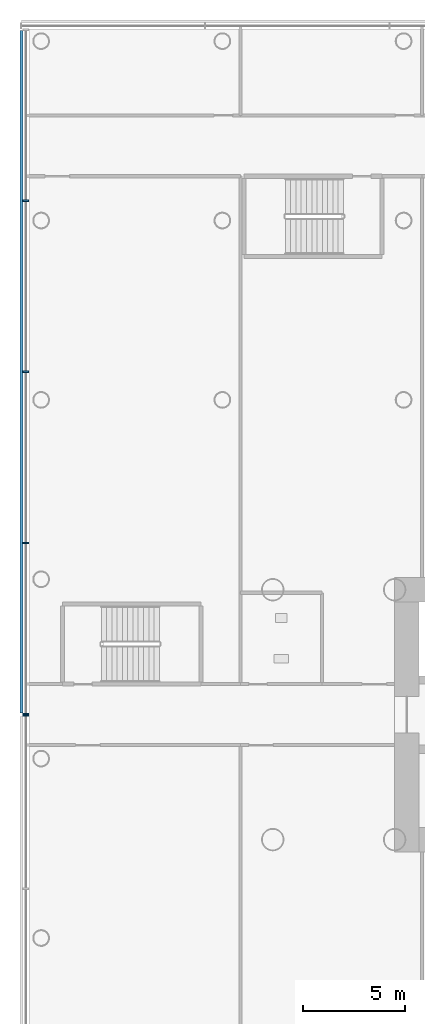
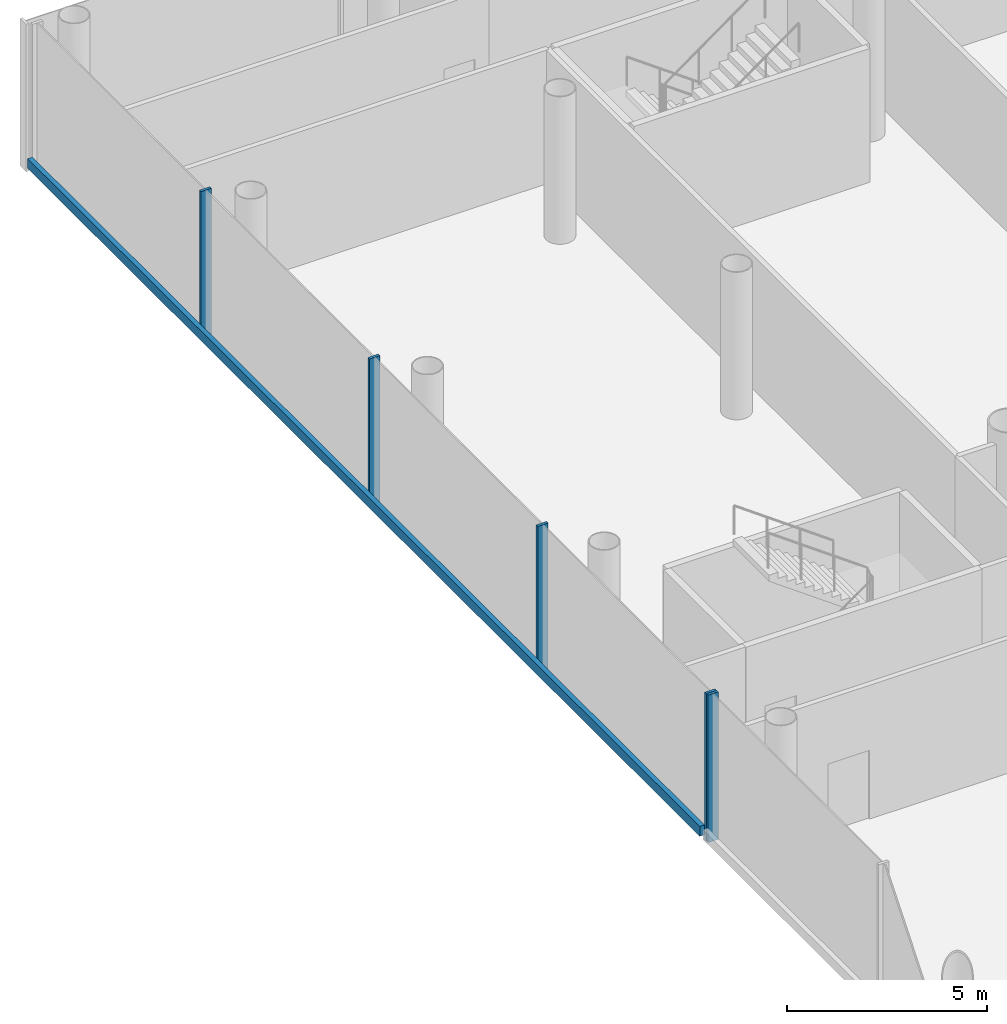
# One storey, part 7 of 51: 6 members, 2 elements without a shape of their own.
"""IFC4 building model written with IfcOpenShell, lengths in metres."""

from ifc_helpers import new_model, si_unit, direction, frame, origin, origin_2d, place, context, subcontext, project, spatial, rectangle, extrude, material, layer, layer_set, material_profile, profile_set, type_object, element, aggregate, save


model = new_model("IFC4")

# Units and contexts
model_context = context("Model", 3, precision=1e-05, world=origin(), true_north=direction((0.0, 1.0)))
body_context = subcontext(model_context, "Body", "Model", "MODEL_VIEW")
ifc_project = project(units=[si_unit("LENGTHUNIT", "METRE"), si_unit("AREAUNIT", "SQUARE_METRE"), si_unit("VOLUMEUNIT", "CUBIC_METRE"), si_unit("PLANEANGLEUNIT", "RADIAN"), si_unit("MASSUNIT", "GRAM", prefix="KILO")], contexts=[model_context])

# Site, building, storey
site_placement = place(None, origin())
site = spatial("IfcSite", under=ifc_project, at=site_placement, CompositionType="ELEMENT")
building_placement = place(site_placement, origin())
building = spatial("IfcBuilding", under=site, at=building_placement, Name="Ipe Terrace Towers", CompositionType="ELEMENT")
storey_placement = place(building_placement, frame((0.0, 0.0, 15.5)))
storey = spatial("IfcBuildingStorey", under=building, at=storey_placement, Name="L03", CompositionType="ELEMENT", Elevation=15.5)

# Curtain wall, members
ifc_material_1 = material(Name="Aluminium alloy 6063-T6", Category="aluminium")
ifc_layer = layer(ifc_material_1, 0.43994140625)
ifc_layer_set = layer_set([ifc_layer], Name="PODIUM GLAZING CURTAIN WALL")
curtain_wall_type = type_object("IfcCurtainWallType", Name="PODIUM GLAZING CURTAIN WALL", PredefinedType="NOTDEFINED", material=ifc_layer_set)
curtain_wall_1_placement = place(storey_placement, origin())
curtain_wall_1 = element("IfcCurtainWall", 1, at=curtain_wall_1_placement, inside=storey, type_object=curtain_wall_type, Name="POD-CW-L03-02a curtain wall", PredefinedType="NOTDEFINED")
ifc_material_2 = material(Name="Aluminium alloy 6063-T6", Category="aluminium")
ifc_material_profile_1 = material_profile(ifc_material_2, rectangle(XDim=0.300048828125, YDim=0.080078125, at=origin_2d()), Name="PODIUM GLAZING MULLION 300 x 80")
ifc_profile_set_1 = profile_set([ifc_material_profile_1], Name="Aluminium alloy 6063-T6")
member_type_1 = type_object("IfcMemberType", Name="PODIUM GLAZING MULLION 300 x 80", PredefinedType="MULLION", material=ifc_profile_set_1)
member_1_placement = place(storey_placement, frame((-69.89990234375, 25.29248046875, -0.300048828125), z_axis=(0.0, 0.0, 1.0), x_axis=(-1.0, 0.0, 0.0)))
member_1 = element("IfcMember", 2, at=member_1_placement, type_object=member_type_1, Name="POD-CW-L03-02a mullion 2", PredefinedType="MULLION", context=body_context, shape_type="SweptSolid", body=[
    extrude(rectangle(XDim=0.300048828125, YDim=0.080078125, at=origin_2d()), origin(), (0.0, 0.0, 1.0), 4.5),
])
member_2_placement = place(storey_placement, frame((-69.89990234375, 16.875, -0.300048828125), z_axis=(0.0, 0.0, 1.0), x_axis=(-1.0, 0.0, 0.0)))
member_2 = element("IfcMember", 3, at=member_2_placement, type_object=member_type_1, Name="POD-CW-L03-02a mullion 3", PredefinedType="MULLION", context=body_context, shape_type="SweptSolid", body=[
    extrude(rectangle(XDim=0.300048828125, YDim=0.080078125, at=origin_2d()), origin(), (0.0, 0.0, 1.0), 4.5),
])
member_3_placement = place(storey_placement, frame((-69.89990234375, 8.45751953125, -0.300048828125), z_axis=(0.0, 0.0, 1.0), x_axis=(-1.0, 0.0, 0.0)))
member_3 = element("IfcMember", 4, at=member_3_placement, type_object=member_type_1, Name="POD-CW-L03-02a mullion 4", PredefinedType="MULLION", context=body_context, shape_type="SweptSolid", body=[
    extrude(rectangle(XDim=0.300048828125, YDim=0.080078125, at=origin_2d()), origin(), (0.0, 0.0, 1.0), 4.5),
])
member_4_placement = place(storey_placement, frame((-69.89990234375, 0.0400390625, -0.300048828125), z_axis=(0.0, 0.0, 1.0), x_axis=(-1.0, 0.0, 0.0)))
member_4 = element("IfcMember", 5, at=member_4_placement, type_object=member_type_1, Name="POD-CW-L03-02a mullion 5", PredefinedType="MULLION", context=body_context, shape_type="SweptSolid", body=[
    extrude(rectangle(XDim=0.300048828125, YDim=0.080078125, at=origin_2d()), origin(), (0.0, 0.0, 1.0), 4.5),
])

# Curtain wall, member
curtain_wall_2_placement = place(storey_placement, origin())
curtain_wall_2 = element("IfcCurtainWall", 6, at=curtain_wall_2_placement, inside=storey, type_object=curtain_wall_type, Name="POD-CW-L03-02b curtain wall", PredefinedType="NOTDEFINED")
member_5_placement = place(storey_placement, frame((-69.89990234375, -0.0400390625, -0.300048828125), z_axis=(0.0, 0.0, 1.0), x_axis=(-1.0, 0.0, 0.0)))
member_5 = element("IfcMember", 7, at=member_5_placement, type_object=member_type_1, Name="POD-CW-L03-02b mullion 1", PredefinedType="MULLION", context=body_context, shape_type="SweptSolid", body=[
    extrude(rectangle(XDim=0.300048828125, YDim=0.080078125, at=origin_2d()), origin(), (0.0, 0.0, 1.0), 4.5),
])
aggregate(curtain_wall_2, [member_5])

# Member
ifc_material_3 = material(Name="Aluminium alloy 6063-T6", Category="aluminium")
ifc_material_profile_2 = material_profile(ifc_material_3, rectangle(XDim=0.139892578125, YDim=0.300048828125, at=origin_2d()), Name="PODIUM GLAZING TRANSOM 140 x 300")
ifc_profile_set_2 = profile_set([ifc_material_profile_2], Name="Aluminium alloy 6063-T6")
member_type_2 = type_object("IfcMemberType", Name="PODIUM GLAZING TRANSOM 140 x 300", PredefinedType="USERDEFINED", material=ifc_profile_set_2)
member_6_placement = place(storey_placement, frame((-70.1201171875, 33.669921875, 0.0), z_axis=(0.0, -1.0, 0.0), x_axis=(-1.0, 0.0, 0.0)))
member_6 = element("IfcMember", 8, at=member_6_placement, type_object=member_type_2, Name="POD-CW-L03-02a transom", ObjectType="TRANSOM", PredefinedType="USERDEFINED", context=body_context, shape_type="SweptSolid", body=[
    extrude(rectangle(XDim=0.139892578125, YDim=0.300048828125, at=origin_2d()), origin(), (0.0, 0.0, 1.0), 33.58984375),
])

aggregate(curtain_wall_1, [member_1, member_2, member_3, member_4, member_6])

save(model, "model.ifc")
